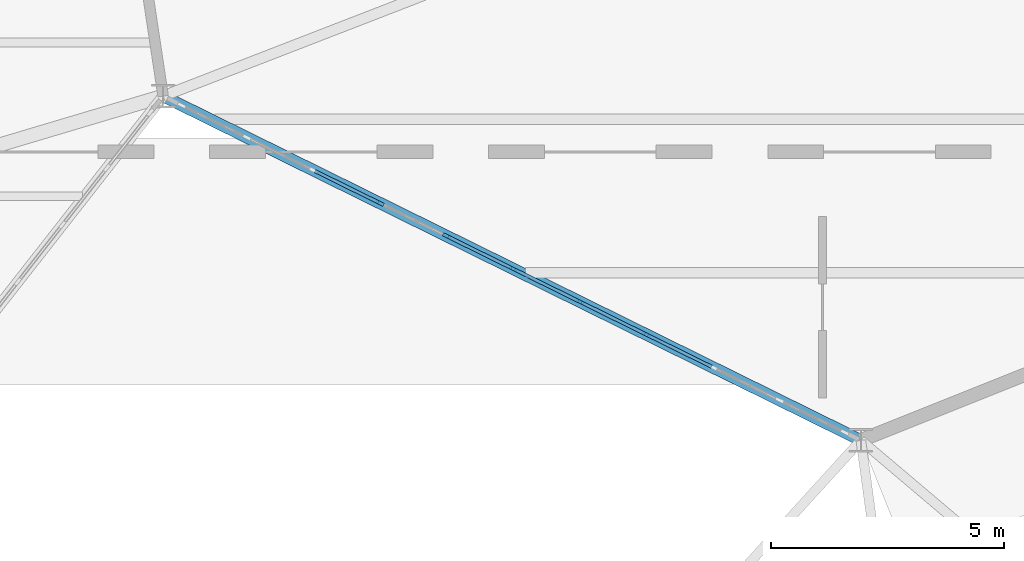
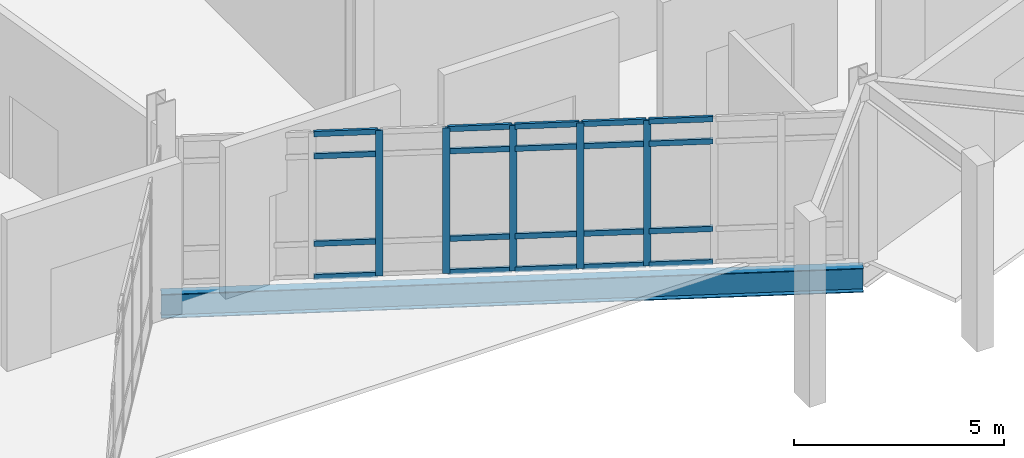
# One storey, part 29 of 113: 25 members, 1 beam, 1 element without a shape of its own.
"""IFC4 building model written with IfcOpenShell, lengths in metres."""

from ifc_helpers import new_model, si_unit, direction, frame, origin, origin_2d, place, context, subcontext, project, spatial, rectangle, i_section, extrude, material, material_profile, profile_set, type_object, element, aggregate, save


model = new_model("IFC4")

# Units and contexts
model_context = context("Model", 3, precision=1e-05, world=origin(), true_north=direction((0.0, 1.0)))
body_context = subcontext(model_context, "Body", "Model", "MODEL_VIEW")
ifc_project = project(units=[si_unit("LENGTHUNIT", "METRE"), si_unit("AREAUNIT", "SQUARE_METRE"), si_unit("VOLUMEUNIT", "CUBIC_METRE"), si_unit("PLANEANGLEUNIT", "RADIAN"), si_unit("MASSUNIT", "GRAM", prefix="KILO")], contexts=[model_context])

# Site, building, storey
site_placement = place(None, origin())
site = spatial("IfcSite", under=ifc_project, at=site_placement, CompositionType="ELEMENT")
building_placement = place(site_placement, origin())
building = spatial("IfcBuilding", under=site, at=building_placement, Name="Tameran Prism Museum", CompositionType="ELEMENT")
storey_placement = place(building_placement, origin())
storey = spatial("IfcBuildingStorey", under=building, at=storey_placement, Name="L00", CompositionType="ELEMENT", Elevation=0.0)

# Beam
ifc_material_1 = material(Name="Steel Grade 350 (350 MPa)", Category="steel")
ifc_material_profile_1 = material_profile(ifc_material_1, i_section(OverallWidth=0.25, OverallDepth=0.699951171875, WebThickness=0.010009765625, FlangeThickness=0.02001953125, at=origin_2d()))
ifc_profile_set_1 = profile_set([ifc_material_profile_1])
beam_type = type_object("IfcBeamType", Name="BM-SP700", PredefinedType="SPANDREL", material=ifc_profile_set_1)
beam_placement = place(storey_placement, frame((51.0, 30.199951171875, -0.590087890625), z_axis=(0.896808201334, -0.44241954073, 0.0), x_axis=(0.44241954073, 0.896808201334, 0.0)))
element("IfcBeam", 1, at=beam_placement, inside=storey, type_object=beam_type, Name="Perimeter Spandrel SP-0022", PredefinedType="SPANDREL", context=body_context, shape_type="SweptSolid", body=[
    extrude(i_section(OverallWidth=0.25, OverallDepth=0.699951171875, WebThickness=0.010009765625, FlangeThickness=0.02001953125, at=origin_2d()), origin(), (0.0, 0.0, 1.0), 16.72607421875),
])

# Curtain wall, members
ifc_material_2 = material(Name="Anodised Aluminium 6063-T6 and Cyclone Solar Glass", Category="aluminium")
curtain_wall_type = type_object("IfcCurtainWallType", Name="CW-FAC-1597x422", PredefinedType="USERDEFINED", material=ifc_material_2)
curtain_wall_placement = place(storey_placement, origin())
curtain_wall = element("IfcCurtainWall", 2, at=curtain_wall_placement, inside=storey, type_object=curtain_wall_type, Name="Unitised Curtain Wall CW-028", ObjectType="UNITISED CURTAIN WALL", PredefinedType="USERDEFINED")
ifc_material_3 = material(Name="Anodised Aluminium Alloy 6063-T6", Category="aluminium")
ifc_material_profile_2 = material_profile(ifc_material_3, rectangle(XDim=0.070068359375, YDim=0.179931640625, at=origin_2d()))
ifc_profile_set_2 = profile_set([ifc_material_profile_2])
member_type_1 = type_object("IfcMemberType", Name="CW-MUL-B", PredefinedType="MULLION", material=ifc_profile_set_2)
member_1_placement = place(storey_placement, frame((61.390625, 25.073974609375, 0.0), z_axis=(0.0, 0.0, 1.0), x_axis=(-0.442396697666, -0.896819470069, 0.0)))
member_1 = element("IfcMember", 3, at=member_1_placement, type_object=member_type_1, Name="CW-028 mullion 4", PredefinedType="MULLION", context=body_context, shape_type="SweptSolid", body=[
    extrude(rectangle(XDim=0.070068359375, YDim=0.179931640625, at=origin_2d()), origin(), (0.0, 0.0, 1.0), 4.219970703125),
])
member_2_placement = place(storey_placement, frame((59.958740234375, 25.7802734375, 0.0), z_axis=(0.0, 0.0, 1.0), x_axis=(-0.442396697666, -0.896819470069, 0.0)))
member_2 = element("IfcMember", 4, at=member_2_placement, type_object=member_type_1, Name="CW-028 mullion 5", PredefinedType="MULLION", context=body_context, shape_type="SweptSolid", body=[
    extrude(rectangle(XDim=0.070068359375, YDim=0.179931640625, at=origin_2d()), origin(), (0.0, 0.0, 1.0), 4.219970703125),
])
member_3_placement = place(storey_placement, frame((58.527099609375, 26.486572265625, 0.0), z_axis=(0.0, 0.0, 1.0), x_axis=(-0.442396697666, -0.896819470069, 0.0)))
member_3 = element("IfcMember", 5, at=member_3_placement, type_object=member_type_1, Name="CW-028 mullion 6", PredefinedType="MULLION", context=body_context, shape_type="SweptSolid", body=[
    extrude(rectangle(XDim=0.070068359375, YDim=0.179931640625, at=origin_2d()), origin(), (0.0, 0.0, 1.0), 4.219970703125),
])
member_4_placement = place(storey_placement, frame((57.09521484375, 27.19287109375, 0.0), z_axis=(0.0, 0.0, 1.0), x_axis=(-0.442396697666, -0.896819470069, 0.0)))
member_4 = element("IfcMember", 6, at=member_4_placement, type_object=member_type_1, Name="CW-028 mullion 7", PredefinedType="MULLION", context=body_context, shape_type="SweptSolid", body=[
    extrude(rectangle(XDim=0.070068359375, YDim=0.179931640625, at=origin_2d()), origin(), (0.0, 0.0, 1.0), 4.219970703125),
])
member_5_placement = place(storey_placement, frame((55.663330078125, 27.899169921875, 0.0), z_axis=(0.0, 0.0, 1.0), x_axis=(-0.442396697666, -0.896819470069, 0.0)))
member_5 = element("IfcMember", 7, at=member_5_placement, type_object=member_type_1, Name="CW-028 mullion 8", PredefinedType="MULLION", context=body_context, shape_type="SweptSolid", body=[
    extrude(rectangle(XDim=0.070068359375, YDim=0.179931640625, at=origin_2d()), origin(), (0.0, 0.0, 1.0), 4.219970703125),
])
ifc_material_4 = material(Name="Anodised Aluminium Alloy 6063-T6", Category="aluminium")
ifc_material_profile_3 = material_profile(ifc_material_4, rectangle(XDim=0.070068359375, YDim=0.155029296875, at=origin_2d()))
ifc_profile_set_3 = profile_set([ifc_material_profile_3])
member_type_2 = type_object("IfcMemberType", Name="CW-TRN-B", PredefinedType="USERDEFINED", material=ifc_profile_set_3)
member_6_placement = place(storey_placement, frame((62.791015625, 24.383056640625, 0.034912109375), z_axis=(-0.896844798652, 0.442345348265, 0.0), x_axis=(-0.442345348265, -0.896844798652, 0.0)))
member_6 = element("IfcMember", 8, at=member_6_placement, type_object=member_type_2, Name="CW-028 transom 3.1", ObjectType="TRANSOM", PredefinedType="USERDEFINED", context=body_context, shape_type="SweptSolid", body=[
    extrude(rectangle(XDim=0.070068359375, YDim=0.155029296875, at=origin_2d()), origin(), (0.0, 0.0, 1.0), 1.526611328125),
])
member_7_placement = place(storey_placement, frame((62.791015625, 24.383056640625, 1.0), z_axis=(-0.896844798652, 0.442345348265, 0.0), x_axis=(-0.442345348265, -0.896844798652, 0.0)))
member_7 = element("IfcMember", 9, at=member_7_placement, type_object=member_type_2, Name="CW-028 transom 3.2", ObjectType="TRANSOM", PredefinedType="USERDEFINED", context=body_context, shape_type="SweptSolid", body=[
    extrude(rectangle(XDim=0.070068359375, YDim=0.155029296875, at=origin_2d()), origin(), (0.0, 0.0, 1.0), 1.526611328125),
])
member_8_placement = place(storey_placement, frame((62.791015625, 24.383056640625, 3.5400390625), z_axis=(-0.896844798652, 0.442345348265, 0.0), x_axis=(-0.442345348265, -0.896844798652, 0.0)))
member_8 = element("IfcMember", 10, at=member_8_placement, type_object=member_type_2, Name="CW-028 transom 3.3", ObjectType="TRANSOM", PredefinedType="USERDEFINED", context=body_context, shape_type="SweptSolid", body=[
    extrude(rectangle(XDim=0.070068359375, YDim=0.155029296875, at=origin_2d()), origin(), (0.0, 0.0, 1.0), 1.526611328125),
])
member_9_placement = place(storey_placement, frame((62.791015625, 24.383056640625, 4.18505859375), z_axis=(-0.896844798652, 0.442345348265, 0.0), x_axis=(-0.442345348265, -0.896844798652, 0.0)))
member_9 = element("IfcMember", 11, at=member_9_placement, type_object=member_type_2, Name="CW-028 transom 3.4", ObjectType="TRANSOM", PredefinedType="USERDEFINED", context=body_context, shape_type="SweptSolid", body=[
    extrude(rectangle(XDim=0.070068359375, YDim=0.155029296875, at=origin_2d()), origin(), (0.0, 0.0, 1.0), 1.526611328125),
])
member_10_placement = place(storey_placement, frame((61.359130859375, 25.08935546875, 0.034912109375), z_axis=(-0.896813499998, 0.442408799892, 0.0), x_axis=(-0.442408799892, -0.896813499998, 0.0)))
member_10 = element("IfcMember", 12, at=member_10_placement, type_object=member_type_2, Name="CW-028 transom 4.1", ObjectType="TRANSOM", PredefinedType="USERDEFINED", context=body_context, shape_type="SweptSolid", body=[
    extrude(rectangle(XDim=0.070068359375, YDim=0.155029296875, at=origin_2d()), origin(), (0.0, 0.0, 1.0), 1.5263671875),
])
member_11_placement = place(storey_placement, frame((61.359130859375, 25.08935546875, 1.0), z_axis=(-0.896813499998, 0.442408799892, 0.0), x_axis=(-0.442408799892, -0.896813499998, 0.0)))
member_11 = element("IfcMember", 13, at=member_11_placement, type_object=member_type_2, Name="CW-028 transom 4.2", ObjectType="TRANSOM", PredefinedType="USERDEFINED", context=body_context, shape_type="SweptSolid", body=[
    extrude(rectangle(XDim=0.070068359375, YDim=0.155029296875, at=origin_2d()), origin(), (0.0, 0.0, 1.0), 1.5263671875),
])
member_12_placement = place(storey_placement, frame((61.359130859375, 25.08935546875, 3.5400390625), z_axis=(-0.896813499998, 0.442408799892, 0.0), x_axis=(-0.442408799892, -0.896813499998, 0.0)))
member_12 = element("IfcMember", 14, at=member_12_placement, type_object=member_type_2, Name="CW-028 transom 4.3", ObjectType="TRANSOM", PredefinedType="USERDEFINED", context=body_context, shape_type="SweptSolid", body=[
    extrude(rectangle(XDim=0.070068359375, YDim=0.155029296875, at=origin_2d()), origin(), (0.0, 0.0, 1.0), 1.5263671875),
])
member_13_placement = place(storey_placement, frame((61.359130859375, 25.08935546875, 4.18505859375), z_axis=(-0.896813499998, 0.442408799892, 0.0), x_axis=(-0.442408799892, -0.896813499998, 0.0)))
member_13 = element("IfcMember", 15, at=member_13_placement, type_object=member_type_2, Name="CW-028 transom 4.4", ObjectType="TRANSOM", PredefinedType="USERDEFINED", context=body_context, shape_type="SweptSolid", body=[
    extrude(rectangle(XDim=0.070068359375, YDim=0.155029296875, at=origin_2d()), origin(), (0.0, 0.0, 1.0), 1.5263671875),
])
member_14_placement = place(storey_placement, frame((59.927490234375, 25.795654296875, 0.034912109375), z_axis=(-0.896844798652, 0.442345348265, 0.0), x_axis=(-0.442345348265, -0.896844798652, 0.0)))
member_14 = element("IfcMember", 16, at=member_14_placement, type_object=member_type_2, Name="CW-028 transom 5.1", ObjectType="TRANSOM", PredefinedType="USERDEFINED", context=body_context, shape_type="SweptSolid", body=[
    extrude(rectangle(XDim=0.070068359375, YDim=0.155029296875, at=origin_2d()), origin(), (0.0, 0.0, 1.0), 1.526611328125),
])
member_15_placement = place(storey_placement, frame((59.927490234375, 25.795654296875, 1.0), z_axis=(-0.896844798652, 0.442345348265, 0.0), x_axis=(-0.442345348265, -0.896844798652, 0.0)))
member_15 = element("IfcMember", 17, at=member_15_placement, type_object=member_type_2, Name="CW-028 transom 5.2", ObjectType="TRANSOM", PredefinedType="USERDEFINED", context=body_context, shape_type="SweptSolid", body=[
    extrude(rectangle(XDim=0.070068359375, YDim=0.155029296875, at=origin_2d()), origin(), (0.0, 0.0, 1.0), 1.526611328125),
])
member_16_placement = place(storey_placement, frame((59.927490234375, 25.795654296875, 3.5400390625), z_axis=(-0.896844798652, 0.442345348265, 0.0), x_axis=(-0.442345348265, -0.896844798652, 0.0)))
member_16 = element("IfcMember", 18, at=member_16_placement, type_object=member_type_2, Name="CW-028 transom 5.3", ObjectType="TRANSOM", PredefinedType="USERDEFINED", context=body_context, shape_type="SweptSolid", body=[
    extrude(rectangle(XDim=0.070068359375, YDim=0.155029296875, at=origin_2d()), origin(), (0.0, 0.0, 1.0), 1.526611328125),
])
member_17_placement = place(storey_placement, frame((59.927490234375, 25.795654296875, 4.18505859375), z_axis=(-0.896844798652, 0.442345348265, 0.0), x_axis=(-0.442345348265, -0.896844798652, 0.0)))
member_17 = element("IfcMember", 19, at=member_17_placement, type_object=member_type_2, Name="CW-028 transom 5.4", ObjectType="TRANSOM", PredefinedType="USERDEFINED", context=body_context, shape_type="SweptSolid", body=[
    extrude(rectangle(XDim=0.070068359375, YDim=0.155029296875, at=origin_2d()), origin(), (0.0, 0.0, 1.0), 1.526611328125),
])
member_18_placement = place(storey_placement, frame((58.49560546875, 26.501953125, 0.034912109375), z_axis=(-0.896813499998, 0.442408799892, 0.0), x_axis=(-0.442408799892, -0.896813499998, 0.0)))
member_18 = element("IfcMember", 20, at=member_18_placement, type_object=member_type_2, Name="CW-028 transom 6.1", ObjectType="TRANSOM", PredefinedType="USERDEFINED", context=body_context, shape_type="SweptSolid", body=[
    extrude(rectangle(XDim=0.070068359375, YDim=0.155029296875, at=origin_2d()), origin(), (0.0, 0.0, 1.0), 1.5263671875),
])
member_19_placement = place(storey_placement, frame((58.49560546875, 26.501953125, 1.0), z_axis=(-0.896813499998, 0.442408799892, 0.0), x_axis=(-0.442408799892, -0.896813499998, 0.0)))
member_19 = element("IfcMember", 21, at=member_19_placement, type_object=member_type_2, Name="CW-028 transom 6.2", ObjectType="TRANSOM", PredefinedType="USERDEFINED", context=body_context, shape_type="SweptSolid", body=[
    extrude(rectangle(XDim=0.070068359375, YDim=0.155029296875, at=origin_2d()), origin(), (0.0, 0.0, 1.0), 1.5263671875),
])
member_20_placement = place(storey_placement, frame((58.49560546875, 26.501953125, 3.5400390625), z_axis=(-0.896813499998, 0.442408799892, 0.0), x_axis=(-0.442408799892, -0.896813499998, 0.0)))
member_20 = element("IfcMember", 22, at=member_20_placement, type_object=member_type_2, Name="CW-028 transom 6.3", ObjectType="TRANSOM", PredefinedType="USERDEFINED", context=body_context, shape_type="SweptSolid", body=[
    extrude(rectangle(XDim=0.070068359375, YDim=0.155029296875, at=origin_2d()), origin(), (0.0, 0.0, 1.0), 1.5263671875),
])
member_21_placement = place(storey_placement, frame((58.49560546875, 26.501953125, 4.18505859375), z_axis=(-0.896813499998, 0.442408799892, 0.0), x_axis=(-0.442408799892, -0.896813499998, 0.0)))
member_21 = element("IfcMember", 23, at=member_21_placement, type_object=member_type_2, Name="CW-028 transom 6.4", ObjectType="TRANSOM", PredefinedType="USERDEFINED", context=body_context, shape_type="SweptSolid", body=[
    extrude(rectangle(XDim=0.070068359375, YDim=0.155029296875, at=origin_2d()), origin(), (0.0, 0.0, 1.0), 1.5263671875),
])
member_22_placement = place(storey_placement, frame((55.632080078125, 27.91455078125, 0.034912109375), z_axis=(-0.896844798652, 0.442345348265, 0.0), x_axis=(-0.442345348265, -0.896844798652, 0.0)))
member_22 = element("IfcMember", 24, at=member_22_placement, type_object=member_type_2, Name="CW-028 transom 8.1", ObjectType="TRANSOM", PredefinedType="USERDEFINED", context=body_context, shape_type="SweptSolid", body=[
    extrude(rectangle(XDim=0.070068359375, YDim=0.155029296875, at=origin_2d()), origin(), (0.0, 0.0, 1.0), 1.526611328125),
])
member_23_placement = place(storey_placement, frame((55.632080078125, 27.91455078125, 1.0), z_axis=(-0.896844798652, 0.442345348265, 0.0), x_axis=(-0.442345348265, -0.896844798652, 0.0)))
member_23 = element("IfcMember", 25, at=member_23_placement, type_object=member_type_2, Name="CW-028 transom 8.2", ObjectType="TRANSOM", PredefinedType="USERDEFINED", context=body_context, shape_type="SweptSolid", body=[
    extrude(rectangle(XDim=0.070068359375, YDim=0.155029296875, at=origin_2d()), origin(), (0.0, 0.0, 1.0), 1.526611328125),
])
member_24_placement = place(storey_placement, frame((55.632080078125, 27.91455078125, 3.5400390625), z_axis=(-0.896844798652, 0.442345348265, 0.0), x_axis=(-0.442345348265, -0.896844798652, 0.0)))
member_24 = element("IfcMember", 26, at=member_24_placement, type_object=member_type_2, Name="CW-028 transom 8.3", ObjectType="TRANSOM", PredefinedType="USERDEFINED", context=body_context, shape_type="SweptSolid", body=[
    extrude(rectangle(XDim=0.070068359375, YDim=0.155029296875, at=origin_2d()), origin(), (0.0, 0.0, 1.0), 1.526611328125),
])
member_25_placement = place(storey_placement, frame((55.632080078125, 27.91455078125, 4.18505859375), z_axis=(-0.896844798652, 0.442345348265, 0.0), x_axis=(-0.442345348265, -0.896844798652, 0.0)))
member_25 = element("IfcMember", 27, at=member_25_placement, type_object=member_type_2, Name="CW-028 transom 8.4", ObjectType="TRANSOM", PredefinedType="USERDEFINED", context=body_context, shape_type="SweptSolid", body=[
    extrude(rectangle(XDim=0.070068359375, YDim=0.155029296875, at=origin_2d()), origin(), (0.0, 0.0, 1.0), 1.526611328125),
])
aggregate(curtain_wall, [member_1, member_2, member_3, member_4, member_5, member_6, member_7, member_8, member_9, member_10, member_11, member_12, member_13, member_14, member_15, member_16, member_17, member_18, member_19, member_20, member_21, member_22, member_23, member_24, member_25])

save(model, "model.ifc")
